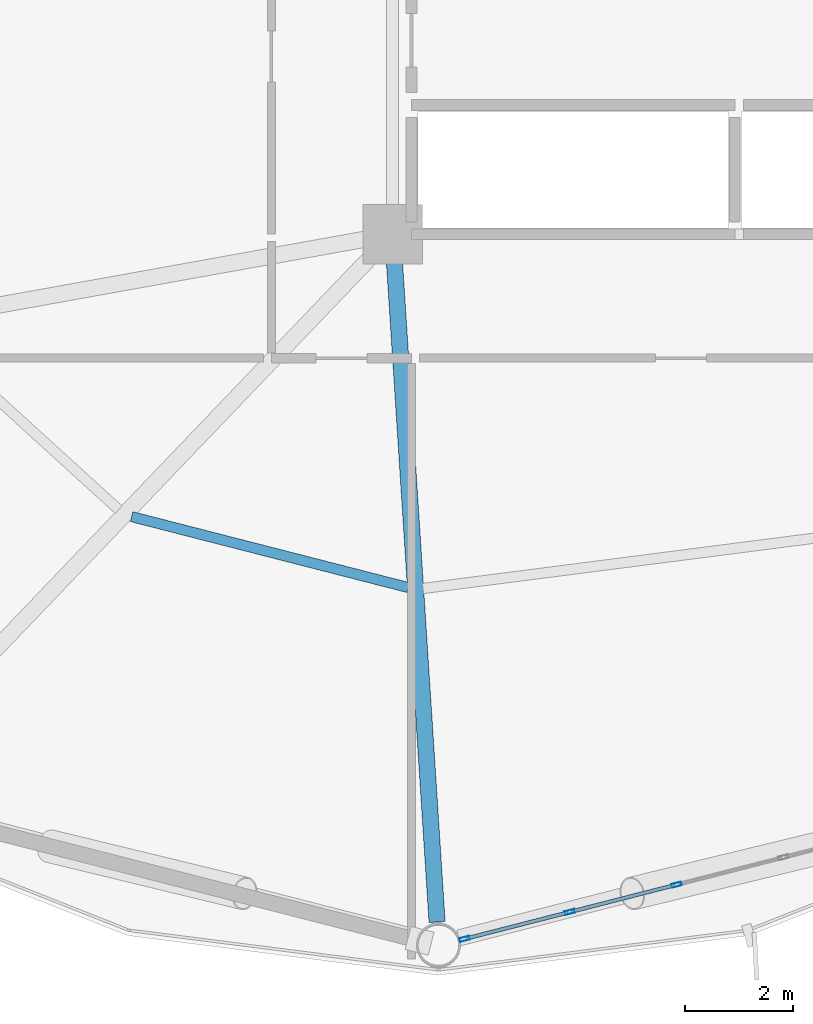
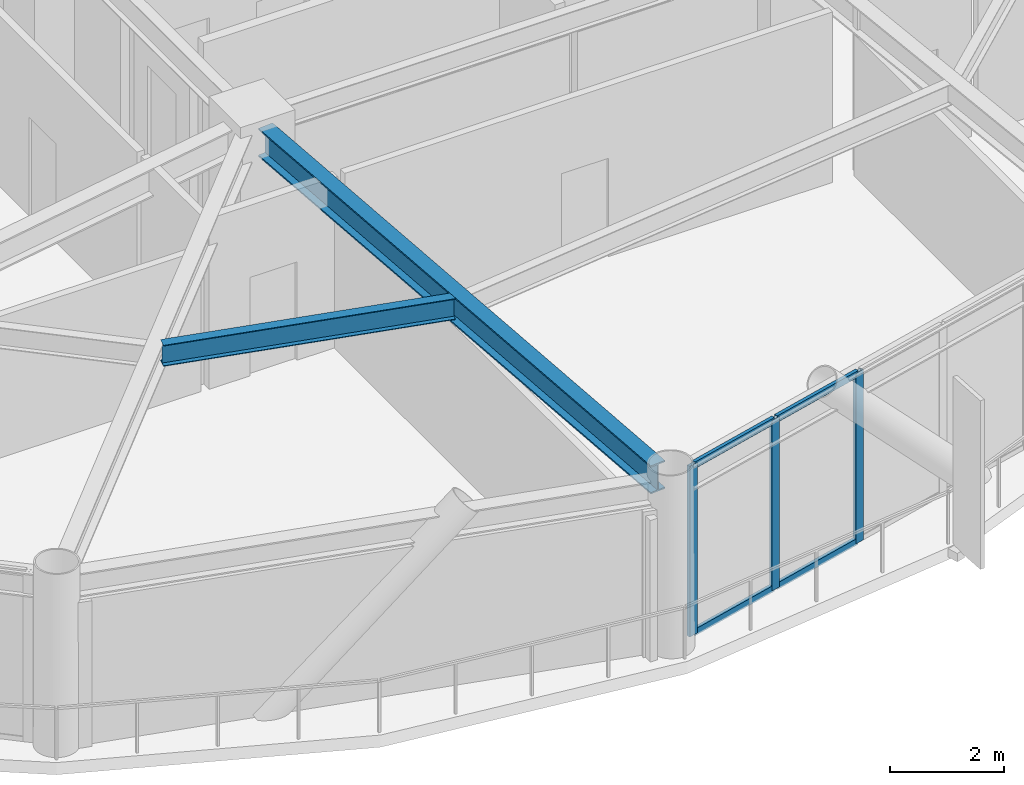
# One storey, part 5 of 25: 7 members, 2 beams, 1 element without a shape of its own.
"""IFC4 building model written with IfcOpenShell, lengths in metres."""

import ifcopenshell
import ifcopenshell.guid

model = None  # the IFC model being written
_history = None  # IfcOwnerHistory: only IFC2X3 demands one
_inside = {}  # id of a spatial element -> (the spatial element, [elements in it])
_under = {}  # id of a project, library or spatial element -> (it, [spatial elements below it])
_declared = {}  # id of a project -> (the project, [libraries it declares])
_typed = {}  # id of a type object -> (the type object, [elements of that type])
_made_of = {}  # id of a material, layer set ... -> (it, [elements and type objects made of it])


def new_model(schema):
    """Start an empty IFC model of exactly this schema.

    Asked for "IFC4X3", IfcOpenShell would pick the latest addendum, in which some entities
    have other attributes; the version numbers below select the first issue.
    IFC2X3 requires an IfcOwnerHistory on every rooted entity: one is made here for all.
    """
    global model, _history
    if schema == "IFC4X3":
        model = ifcopenshell.file(schema_version=(4, 3, 0, 0))
    else:
        model = ifcopenshell.file(schema=schema)
    _inside.clear()
    _under.clear()
    _declared.clear()
    _typed.clear()
    _made_of.clear()
    _history = None
    if model.schema == "IFC2X3":
        org = make("IfcOrganization", Name="unknown")
        user = make(
            "IfcPersonAndOrganization",
            ThePerson=make("IfcPerson", FamilyName="unknown"),
            TheOrganization=org,
        )
        app = make(
            "IfcApplication",
            ApplicationDeveloper=org,
            Version="unknown",
            ApplicationFullName="unknown",
            ApplicationIdentifier="unknown",
        )
        _history = make(
            "IfcOwnerHistory",
            OwningUser=user,
            OwningApplication=app,
            ChangeAction="ADDED",
            CreationDate=0,
        )
    return model


def make(cls, **values):
    """One entity of the class cls with the attributes given. An attribute that is None is left unset."""
    return model.create_entity(
        cls, **{name: value for name, value in values.items() if value is not None}
    )


def rooted(cls, **values):
    """An entity with a GlobalId (a new one), such as an element, a storey or a relation."""
    return make(cls, GlobalId=ifcopenshell.guid.new(), OwnerHistory=_history, **values)


def si_unit(unit_type, name, prefix=None):
    """IfcSIUnit, for example si_unit("LENGTHUNIT", "METRE", prefix="MILLI")."""
    return make("IfcSIUnit", UnitType=unit_type, Prefix=prefix, Name=name)


def assignment(units):
    """IfcUnitAssignment: the units of a project."""
    return None if units is None else make("IfcUnitAssignment", Units=units)


def point(xyz):
    """IfcCartesianPoint."""
    return None if xyz is None else make("IfcCartesianPoint", Coordinates=xyz)


def direction(xyz):
    """IfcDirection."""
    return None if xyz is None else make("IfcDirection", DirectionRatios=xyz)


def frame(location, z_axis=None, x_axis=None):
    """IfcAxis2Placement3D, a coordinate frame: its origin and axes. An axis left out is left unset."""
    return make(
        "IfcAxis2Placement3D",
        Location=point(location),
        Axis=direction(z_axis),
        RefDirection=direction(x_axis),
    )


def frame_2d(location, x_axis=None):
    """IfcAxis2Placement2D, a coordinate frame in the plane: its origin and x axis."""
    return make(
        "IfcAxis2Placement2D", Location=point(location), RefDirection=direction(x_axis)
    )


def origin():
    """The frame at (0, 0, 0) with its axes left unset."""
    return frame((0.0, 0.0, 0.0))


def origin_2d():
    """The frame at (0, 0) in the plane with its x axis left unset."""
    return frame_2d((0.0, 0.0))


def place(relative_to, where):
    """IfcLocalPlacement: puts the frame where relative to a parent placement (None: the world)."""
    return make(
        "IfcLocalPlacement", PlacementRelTo=relative_to, RelativePlacement=where
    )


def context(
    kind, dimensions, precision=None, world=None, true_north=None, identifier=None
):
    """IfcGeometricRepresentationContext, for example the 3D "Model" context."""
    return make(
        "IfcGeometricRepresentationContext",
        ContextIdentifier=identifier,
        ContextType=kind,
        CoordinateSpaceDimension=dimensions,
        Precision=precision,
        WorldCoordinateSystem=world,
        TrueNorth=true_north,
    )


def subcontext(parent, identifier, kind, view, scale=None):
    """IfcGeometricRepresentationSubContext, for example "Body" below "Model"."""
    return make(
        "IfcGeometricRepresentationSubContext",
        ContextIdentifier=identifier,
        ContextType=kind,
        ParentContext=parent,
        TargetScale=scale,
        TargetView=view,
    )


def project(units=None, contexts=None):
    """IfcProject with its units and contexts."""
    return rooted(
        "IfcProject",
        Name="project",
        RepresentationContexts=contexts,
        UnitsInContext=assignment(units),
    )


def spatial(cls, under=None, at=None, **own):
    """A site, building, storey or space (cls), placed at a placement, below another one or the project."""
    s = rooted(cls, ObjectPlacement=at, **own)
    if under is not None:
        _under.setdefault(under.id(), (under, []))[1].append(s)
    return s


def profile(cls, at=None, kind="AREA", **sizes):
    """A parametric profile (cls). Its sizes go by their IFC names, for example OverallWidth=200.0."""
    return make(cls, ProfileType=kind, Position=at, **sizes)


def hollow_rectangle(**sizes):
    """IfcRectangleHollowProfileDef."""
    return profile("IfcRectangleHollowProfileDef", **sizes)


def i_section(**sizes):
    """IfcIShapeProfileDef."""
    return profile("IfcIShapeProfileDef", **sizes)


def extrude(swept, where, along, depth):
    """IfcExtrudedAreaSolid: the profile swept, set in the frame where, extruded along a direction by depth."""
    return make(
        "IfcExtrudedAreaSolid",
        SweptArea=swept,
        Position=where,
        ExtrudedDirection=direction(along),
        Depth=depth,
    )


def shape(context_of_items, identifier, shape_type, items):
    """IfcShapeRepresentation: the items that make up one representation, for example the "Body"."""
    return make(
        "IfcShapeRepresentation",
        ContextOfItems=context_of_items,
        RepresentationIdentifier=identifier,
        RepresentationType=shape_type,
        Items=items,
    )


def material(Name=None, Category=None):
    """IfcMaterial."""
    return make("IfcMaterial", Name=Name, Category=Category)


def layer(
    of_material, thickness, ventilated=None, Name=None, Category=None, Priority=None
):
    """IfcMaterialLayer: one layer of a wall or slab, of a material (None: an air gap)."""
    return make(
        "IfcMaterialLayer",
        Material=of_material,
        LayerThickness=thickness,
        IsVentilated=ventilated,
        Name=Name,
        Category=Category,
        Priority=Priority,
    )


def layer_set(layers, Name=None):
    """IfcMaterialLayerSet."""
    return make("IfcMaterialLayerSet", MaterialLayers=layers, LayerSetName=Name)


def material_profile(
    of_material, cross_section, Name=None, Category=None, Priority=None
):
    """IfcMaterialProfile: a cross section and its material."""
    return make(
        "IfcMaterialProfile",
        Name=Name,
        Material=of_material,
        Profile=cross_section,
        Priority=Priority,
        Category=Category,
    )


def profile_set(profiles, Name=None, composite=None):
    """IfcMaterialProfileSet."""
    return make(
        "IfcMaterialProfileSet",
        Name=Name,
        MaterialProfiles=profiles,
        CompositeProfile=composite,
    )


def made_of(thing, what):
    """Note that an element or type object is made of a material, layer set ...; save() writes the relation."""
    if what is not None:
        _made_of.setdefault(what.id(), (what, []))[1].append(thing)
    return thing


def type_object(cls, material=None, **own):
    """A type object (cls), such as IfcWallType, which elements share."""
    return made_of(rooted(cls, **own), material)


def element(
    cls,
    number,
    at=None,
    inside=None,
    cuts=None,
    type_object=None,
    material=None,
    context=None,
    identifier="Body",
    shape_type=None,
    held_by="IfcProductDefinitionShape",
    body=None,
    shapes=None,
    **own,
):
    """One element of the class cls, such as IfcWall. Its Tag is "e" and its number.

    at: its placement. inside: the storey or other place that contains it. cuts: it is an
    opening in that element (IfcRelVoidsElement). A single representation is given by context,
    identifier, shape_type and body (its items); several are given by shapes. held_by: the class
    of the entity that holds the representations. save() writes the other relations.
    """
    e = rooted(cls, Tag="e%d" % number, ObjectPlacement=at, **own)
    if body is not None:
        shapes = [shape(context, identifier, shape_type, body)]
    if shapes is not None:
        e.Representation = make(held_by, Representations=shapes)
    if inside is not None:
        _inside.setdefault(inside.id(), (inside, []))[1].append(e)
    if cuts is not None:
        rooted(
            "IfcRelVoidsElement", RelatingBuildingElement=cuts, RelatedOpeningElement=e
        )
    if type_object is not None:
        _typed.setdefault(type_object.id(), (type_object, []))[1].append(e)
    return made_of(e, material)


def aggregate(whole, parts):
    """IfcRelAggregates: a whole, such as a stair, and the parts it consists of."""
    return rooted("IfcRelAggregates", RelatingObject=whole, RelatedObjects=parts)


def save(model, path):
    """Write the relations noted so far, then the file.

    IfcRelAggregates (storeys below a building ...), IfcRelContainedInSpatialStructure (elements
    in a storey), IfcRelDefinesByType, IfcRelAssociatesMaterial and IfcRelDeclares: one each for
    every whole, place, type object, material and project.
    """
    for whole, parts in _under.values():
        aggregate(whole, parts)
    for where, things in _inside.values():
        rooted(
            "IfcRelContainedInSpatialStructure",
            RelatedElements=things,
            RelatingStructure=where,
        )
    for kind, things in _typed.values():
        rooted("IfcRelDefinesByType", RelatedObjects=things, RelatingType=kind)
    for what, things in _made_of.values():
        rooted("IfcRelAssociatesMaterial", RelatedObjects=things, RelatingMaterial=what)
    for by, libraries in _declared.values():
        rooted("IfcRelDeclares", RelatingContext=by, RelatedDefinitions=libraries)
    model.write(path)


model = new_model("IFC4")

# Units and contexts
model_context = context("Model", 3, precision=1e-05, world=origin(), true_north=direction((0.0, 1.0)))
body_context = subcontext(model_context, "Body", "Model", "MODEL_VIEW")
ifc_project = project(units=[si_unit("LENGTHUNIT", "METRE"), si_unit("AREAUNIT", "SQUARE_METRE"), si_unit("VOLUMEUNIT", "CUBIC_METRE"), si_unit("PLANEANGLEUNIT", "RADIAN"), si_unit("MASSUNIT", "GRAM", prefix="KILO")], contexts=[model_context])

# Site, building, storey
site_placement = place(None, origin())
site = spatial("IfcSite", under=ifc_project, at=site_placement, CompositionType="ELEMENT")
building_placement = place(site_placement, origin())
building = spatial("IfcBuilding", under=site, at=building_placement, Name="Varnakorn Sky Granary", CompositionType="ELEMENT")
storey_placement = place(building_placement, frame((0.0, 0.0, 91.5)))
storey = spatial("IfcBuildingStorey", under=building, at=storey_placement, Name="L22", CompositionType="ELEMENT", Elevation=91.5)

# Beams
ifc_material_1 = material(Name="Steel S355JR", Category="steel")
ifc_material_profile_1 = material_profile(ifc_material_1, i_section(OverallWidth=0.300048828125, OverallDepth=0.60009765625, WebThickness=0.015380859375, FlangeThickness=0.030029296875, at=origin_2d()), Name="HE 600 B")
ifc_profile_set_1 = profile_set([ifc_material_profile_1], Name="Steel S355JR")
beam_type_1 = type_object("IfcBeamType", Name="BM-RAD-Z2", PredefinedType="BEAM", material=ifc_profile_set_1)
beam_1_placement = place(storey_placement, frame((-2.322998046875, -7.01904296875, 3.340087890625), z_axis=(0.064493856823, -0.997918104071, 0.0), x_axis=(0.997918104071, 0.064493856823, 0.0)))
element("IfcBeam", 1, at=beam_1_placement, inside=storey, type_object=beam_type_1, Name="Radial Floor Girder RG10 L22", PredefinedType="BEAM", context=body_context, shape_type="SweptSolid", body=[
    extrude(i_section(OverallWidth=0.300048828125, OverallDepth=0.60009765625, WebThickness=0.015380859375, FlangeThickness=0.030029296875, at=origin_2d()), origin(), (0.0, 0.0, 1.0), 12.370849609375),
])
ifc_material_profile_2 = material_profile(ifc_material_1, i_section(OverallWidth=0.18994140625, OverallDepth=0.449951171875, WebThickness=0.009521484375, FlangeThickness=0.0146484375, at=origin_2d()), Name="IPE 450")
ifc_profile_set_2 = profile_set([ifc_material_profile_2], Name="Steel S355JR")
beam_type_2 = type_object("IfcBeamType", Name="BM-SEC-Z2", PredefinedType="BEAM", material=ifc_profile_set_2)
beam_2_placement = place(storey_placement, frame((-7.194580078125, -11.8408203125, 3.4150390625), z_axis=(0.968684036147, -0.248296673586, 0.0), x_axis=(0.248296673586, 0.968684036147, 0.0)))
element("IfcBeam", 2, at=beam_2_placement, inside=storey, type_object=beam_type_2, Name="Secondary Floor Chord Beam MSB09 L22", PredefinedType="BEAM", context=body_context, shape_type="SweptSolid", body=[
    extrude(i_section(OverallWidth=0.18994140625, OverallDepth=0.449951171875, WebThickness=0.009521484375, FlangeThickness=0.0146484375, at=origin_2d()), origin(), (0.0, 0.0, 1.0), 5.30078125),
])

# Curtain wall, members
ifc_material_2 = material(Name="Anodised Bronze Aluminium Alloy 6063-T6", Category="aluminium")
ifc_layer = layer(ifc_material_2, 0.18994140625, Name="Anodised Bronze Aluminium Alloy 6063-T6")
ifc_layer_set = layer_set([ifc_layer], Name="Anodised Bronze Aluminium Alloy 6063-T6")
curtain_wall_type = type_object("IfcCurtainWallType", Name="CW-FRM-1", PredefinedType="USERDEFINED", material=ifc_layer_set)
curtain_wall_placement = place(storey_placement, origin())
curtain_wall = element("IfcCurtainWall", 3, at=curtain_wall_placement, inside=storey, type_object=curtain_wall_type, Name="Unitised Curtain Wall CW3 CW-L22-B10", ObjectType="CURTAIN WALL", PredefinedType="USERDEFINED")
ifc_material_profile_3 = material_profile(ifc_material_2, hollow_rectangle(XDim=0.070068359375, YDim=0.18505859375, WallThickness=0.00390625, at=origin_2d()), Name="ALU MULL 70x185")
ifc_profile_set_3 = profile_set([ifc_material_profile_3], Name="Anodised Bronze Aluminium Alloy 6063-T6")
member_type_1 = type_object("IfcMemberType", Name="CW-FRM-1-MULL", PredefinedType="MULLION", material=ifc_profile_set_3)
member_1_placement = place(storey_placement, frame((2.919921875, -18.6708984375, 0.0), z_axis=(0.0, 0.0, 1.0), x_axis=(0.247904232144, -0.96878454348, 0.0)))
member_1 = element("IfcMember", 4, at=member_1_placement, type_object=member_type_1, Name="CW3 mullion 4", PredefinedType="MULLION", context=body_context, shape_type="SweptSolid", body=[
    extrude(hollow_rectangle(XDim=0.070068359375, YDim=0.18505859375, WallThickness=0.00390625, at=origin_2d()), origin(), (0.0, 0.0, 1.0), 3.639892578125),
])
member_2_placement = place(storey_placement, frame((0.93603515625, -19.1787109375, 0.0), z_axis=(0.0, 0.0, 1.0), x_axis=(0.247904232144, -0.96878454348, 0.0)))
member_2 = element("IfcMember", 5, at=member_2_placement, type_object=member_type_1, Name="CW3 mullion 5", PredefinedType="MULLION", context=body_context, shape_type="SweptSolid", body=[
    extrude(hollow_rectangle(XDim=0.070068359375, YDim=0.18505859375, WallThickness=0.00390625, at=origin_2d()), origin(), (0.0, 0.0, 1.0), 3.639892578125),
])
member_3_placement = place(storey_placement, frame((-1.01416015625, -19.677734375, 0.0), z_axis=(0.0, 0.0, 1.0), x_axis=(0.247904232144, -0.96878454348, 0.0)))
member_3 = element("IfcMember", 6, at=member_3_placement, type_object=member_type_1, Name="CW3 mullion 6", PredefinedType="MULLION", context=body_context, shape_type="SweptSolid", body=[
    extrude(hollow_rectangle(XDim=0.070068359375, YDim=0.18505859375, WallThickness=0.00390625, at=origin_2d()), origin(), (0.0, 0.0, 1.0), 3.639892578125),
])
ifc_material_profile_4 = material_profile(ifc_material_2, hollow_rectangle(XDim=0.070068359375, YDim=0.139892578125, WallThickness=0.00341796875, at=origin_2d()), Name="ALU TRAN 70x140")
ifc_profile_set_4 = profile_set([ifc_material_profile_4], Name="Anodised Bronze Aluminium Alloy 6063-T6")
member_type_2 = type_object("IfcMemberType", Name="CW-FRM-1-TRAN", PredefinedType="USERDEFINED", material=ifc_profile_set_4)
member_4_placement = place(storey_placement, frame((2.885986328125, -18.6796875, 0.034912109375), z_axis=(-0.968799258379, -0.247846720706, 0.0), x_axis=(0.247846720706, -0.968799258379, 0.0)))
member_4 = element("IfcMember", 7, at=member_4_placement, type_object=member_type_2, Name="CW3 transom 4.1", ObjectType="TRANSOM", PredefinedType="USERDEFINED", context=body_context, shape_type="SweptSolid", body=[
    extrude(hollow_rectangle(XDim=0.070068359375, YDim=0.139892578125, WallThickness=0.00341796875, at=origin_2d()), origin(), (0.0, 0.0, 1.0), 1.97802734375),
])
member_5_placement = place(storey_placement, frame((2.885986328125, -18.6796875, 3.60498046875), z_axis=(-0.968799258379, -0.247846720706, 0.0), x_axis=(0.247846720706, -0.968799258379, 0.0)))
member_5 = element("IfcMember", 8, at=member_5_placement, type_object=member_type_2, Name="CW3 transom 4.2", ObjectType="TRANSOM", PredefinedType="USERDEFINED", context=body_context, shape_type="SweptSolid", body=[
    extrude(hollow_rectangle(XDim=0.070068359375, YDim=0.139892578125, WallThickness=0.00341796875, at=origin_2d()), origin(), (0.0, 0.0, 1.0), 1.97802734375),
])
member_6_placement = place(storey_placement, frame((0.902099609375, -19.187255859375, 0.034912109375), z_axis=(-0.968782354404, -0.247912786672, 0.0), x_axis=(0.247912786672, -0.968782354404, 0.0)))
member_6 = element("IfcMember", 9, at=member_6_placement, type_object=member_type_2, Name="CW3 transom 5.1", ObjectType="TRANSOM", PredefinedType="USERDEFINED", context=body_context, shape_type="SweptSolid", body=[
    extrude(hollow_rectangle(XDim=0.070068359375, YDim=0.139892578125, WallThickness=0.00341796875, at=origin_2d()), origin(), (0.0, 0.0, 1.0), 1.94287109375),
])
member_7_placement = place(storey_placement, frame((0.902099609375, -19.187255859375, 3.60498046875), z_axis=(-0.968782354404, -0.247912786672, 0.0), x_axis=(0.247912786672, -0.968782354404, 0.0)))
member_7 = element("IfcMember", 10, at=member_7_placement, type_object=member_type_2, Name="CW3 transom 5.2", ObjectType="TRANSOM", PredefinedType="USERDEFINED", context=body_context, shape_type="SweptSolid", body=[
    extrude(hollow_rectangle(XDim=0.070068359375, YDim=0.139892578125, WallThickness=0.00341796875, at=origin_2d()), origin(), (0.0, 0.0, 1.0), 1.94287109375),
])
aggregate(curtain_wall, [member_1, member_2, member_3, member_4, member_5, member_6, member_7])

save(model, "model.ifc")
